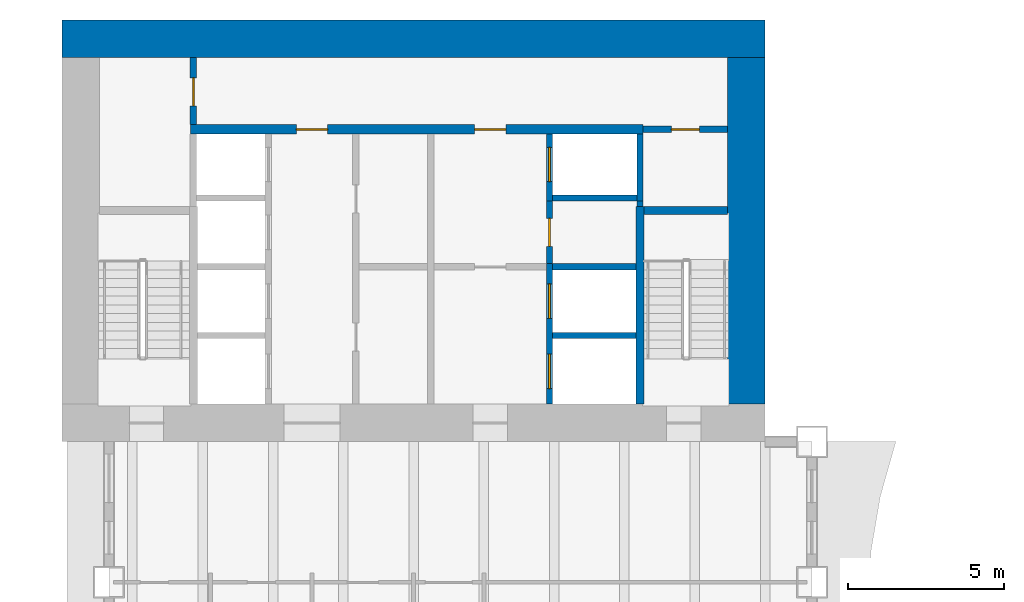
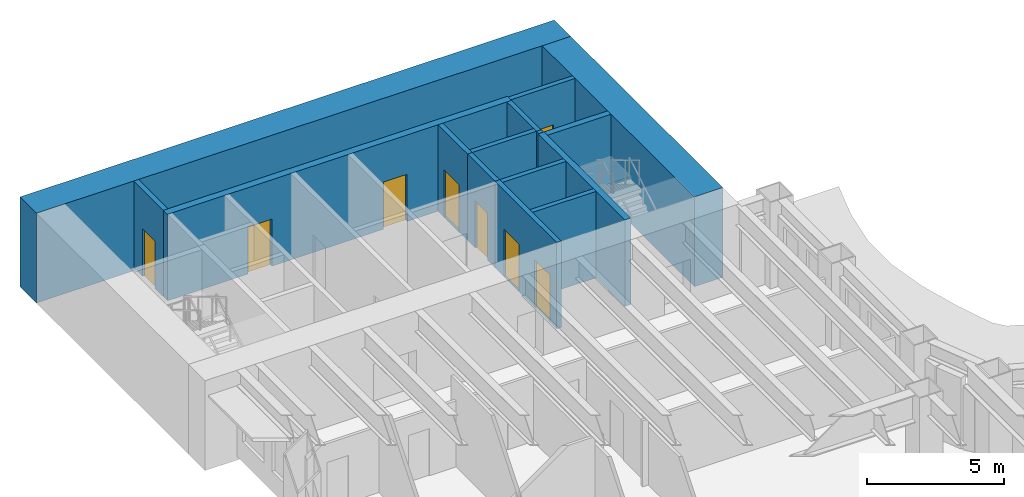
# One storey, part 9 of 16: 15 walls, 8 doors, 8 openings.
"""IFC4 building model written with IfcOpenShell, lengths in metres."""

from ifc_helpers import new_model, si_unit, direction, frame, frame_2d, origin, place, context, subcontext, project, spatial, rectangle, extrude, material, layer, layer_set, type_object, element, fill, save


model = new_model("IFC4")

# Units and contexts
model_context = context("Model", 3, precision=1e-05, world=origin(), true_north=direction((0.0, 1.0)))
body_context = subcontext(model_context, "Body", "Model", "MODEL_VIEW")
ifc_project = project(units=[si_unit("LENGTHUNIT", "METRE"), si_unit("AREAUNIT", "SQUARE_METRE"), si_unit("VOLUMEUNIT", "CUBIC_METRE"), si_unit("PLANEANGLEUNIT", "RADIAN"), si_unit("MASSUNIT", "GRAM", prefix="KILO")], contexts=[model_context])

# Site, building, storey
site_placement = place(None, origin())
site = spatial("IfcSite", under=ifc_project, at=site_placement, CompositionType="ELEMENT")
building_placement = place(site_placement, origin())
building = spatial("IfcBuilding", under=site, at=building_placement, Name="Sennacour Bend Tower", CompositionType="ELEMENT")
storey_placement = place(building_placement, frame((0.0, 0.0, 87.0)))
storey = spatial("IfcBuildingStorey", under=building, at=storey_placement, Name="L19", CompositionType="ELEMENT", Elevation=87.0)

# Walls
ifc_material_1 = material(Name="Concrete C80/95", Category="concrete")
ifc_layer_1 = layer(ifc_material_1, 1.199951171875, Name="Concrete C80/95", Category="concrete")
ifc_layer_set_1 = layer_set([ifc_layer_1], Name="Concrete C80/95")
wall_type_1 = type_object("IfcWallType", Name="Core wall 1200 C80/95", PredefinedType="SHEAR", material=ifc_layer_set_1)
wall_1_placement = place(storey_placement, frame((0.0, 48.89990234375, -0.14990234375), z_axis=(0.0, 0.0, 1.0), x_axis=(1.0, 0.0, 0.0)))
element("IfcWall", 1, at=wall_1_placement, inside=storey, type_object=wall_type_1, Name="Core B wall L19 N", PredefinedType="SHEAR", context=body_context, shape_type="SweptSolid", body=[
    extrude(rectangle(XDim=22.5, YDim=1.199951171875, at=frame_2d((11.25, 0.0))), origin(), (0.0, 0.0, 1.0), 4.0),
])
wall_2_placement = place(storey_placement, frame((21.89990234375, 37.199951171875, -0.14990234375), z_axis=(0.0, 0.0, 1.0), x_axis=(0.0, 1.0, 0.0)))
element("IfcWall", 2, at=wall_2_placement, inside=storey, type_object=wall_type_1, Name="Core B wall L19 E", PredefinedType="SHEAR", context=body_context, shape_type="SweptSolid", body=[
    extrude(rectangle(XDim=11.10009765625, YDim=1.199951171875, at=frame_2d((5.550048828125, 0.0))), origin(), (0.0, 0.0, 1.0), 4.0),
])

# Wall, opening, door
ifc_material_2 = material(Name="Fire-rated plasterboard partition on steel studs", Category="steel")
ifc_layer_2 = layer(ifc_material_2, 0.199951171875, Name="Fire-rated plasterboard partition on steel studs", Category="steel")
ifc_layer_set_2 = layer_set([ifc_layer_2], Name="Fire-rated plasterboard partition on steel studs")
wall_type_2 = type_object("IfcWallType", Name="Rated partition 200", PredefinedType="PARTITIONING", material=ifc_layer_set_2)
wall_3_placement = place(storey_placement, frame((4.199951171875, 46.14990234375, 0.0), z_axis=(0.0, 0.0, 1.0), x_axis=(0.0, 1.0, 0.0)))
wall_3 = element("IfcWall", 3, at=wall_3_placement, inside=storey, type_object=wall_type_2, Name="P-L19-W006", PredefinedType="PARTITIONING", context=body_context, shape_type="SweptSolid", body=[
    extrude(rectangle(XDim=2.150146484375, YDim=0.199951171875, at=frame_2d((1.0751953125, 0.0))), origin(), (0.0, 0.0, 1.0), 3.85009765625),
])
opening_1_placement = place(wall_3_placement, frame((0.60009765625, 0.0, 0.0)))
opening_1 = element("IfcOpeningElement", 4, at=opening_1_placement, cuts=wall_3, Name="Opening SV", PredefinedType="OPENING", context=body_context, shape_type="SweptSolid", body=[
    extrude(rectangle(XDim=0.89990234375, YDim=2.10009765625, at=frame_2d((0.449951171875, 1.050048828125))), frame((0.0, 0.10986328125, 0.0), z_axis=(0.0, -1.0, 0.0), x_axis=(1.0, 0.0, 0.0)), (0.0, 0.0, 1.0), 0.219970703125),
])
ifc_material_3 = material(Name="Painted steel", Category="steel")
door_type_1 = type_object("IfcDoorType", Name="DR-SERVICE-900", OperationType="NOTDEFINED", PredefinedType="DOOR", material=ifc_material_3)
door_1_placement = place(opening_1_placement, origin())
door_1 = element("IfcDoor", 5, at=door_1_placement, inside=storey, type_object=door_type_1, Name="Door", OperationType="SINGLE_SWING_LEFT", OverallHeight=2.10009765625, OverallWidth=0.89990234375, PredefinedType="DOOR", context=body_context, shape_type="SweptSolid", body=[
    extrude(rectangle(XDim=0.89990234375, YDim=2.10009765625, at=frame_2d((0.449951171875, 1.050048828125))), frame((0.0, 0.02490234375, 0.0), z_axis=(0.0, -1.0, 0.0), x_axis=(1.0, 0.0, 0.0)), (0.0, 0.0, 1.0), 0.050048828125),
])
fill(opening_1, door_1)

wall_4_placement = place(storey_placement, frame((15.60009765625, 41.699951171875, 0.0), z_axis=(0.0, 0.0, 1.0), x_axis=(0.0, 1.0, 0.0)))
wall_4 = element("IfcWall", 6, at=wall_4_placement, inside=storey, type_object=wall_type_2, Name="P-L19-W018", PredefinedType="PARTITIONING", context=body_context, shape_type="SweptSolid", body=[
    extrude(rectangle(XDim=2.0, YDim=0.199951171875, at=frame_2d((1.0, 0.0))), origin(), (0.0, 0.0, 1.0), 3.85009765625),
])
opening_2_placement = place(wall_4_placement, frame((0.550048828125, 0.0, 0.0)))
opening_2 = element("IfcOpeningElement", 7, at=opening_2_placement, cuts=wall_4, Name="Opening SV", PredefinedType="OPENING", context=body_context, shape_type="SweptSolid", body=[
    extrude(rectangle(XDim=0.89990234375, YDim=2.10009765625, at=frame_2d((0.449951171875, 1.050048828125))), frame((0.0, 0.10986328125, 0.0), z_axis=(0.0, -1.0, 0.0), x_axis=(1.0, 0.0, 0.0)), (0.0, 0.0, 1.0), 0.219970703125),
])
door_2_placement = place(opening_2_placement, origin())
door_2 = element("IfcDoor", 8, at=door_2_placement, inside=storey, type_object=door_type_1, Name="Door", OperationType="SINGLE_SWING_RIGHT", OverallHeight=2.10009765625, OverallWidth=0.89990234375, PredefinedType="DOOR", context=body_context, shape_type="SweptSolid", body=[
    extrude(rectangle(XDim=0.89990234375, YDim=2.10009765625, at=frame_2d((0.449951171875, 1.050048828125))), frame((0.0, 0.02490234375, 0.0), z_axis=(0.0, -1.0, 0.0), x_axis=(1.0, 0.0, 0.0)), (0.0, 0.0, 1.0), 0.050048828125),
])
fill(opening_2, door_2)

# Wall
wall_5_placement = place(storey_placement, frame((18.5, 43.52490234375, 0.0), z_axis=(0.0, 0.0, 1.0), x_axis=(0.0, 1.0, 0.0)))
element("IfcWall", 9, at=wall_5_placement, inside=storey, type_object=wall_type_2, Name="P-L19-W022", PredefinedType="PARTITIONING", context=body_context, shape_type="SweptSolid", body=[
    extrude(rectangle(XDim=0.175048828125, YDim=0.199951171875, at=frame_2d((0.08740234375, 0.0))), origin(), (0.0, 0.0, 1.0), 3.85009765625),
])

# Wall, opening, door
wall_6_placement = place(storey_placement, frame((18.60009765625, 46.0, 0.0), z_axis=(0.0, 0.0, 1.0), x_axis=(1.0, 0.0, 0.0)))
wall_6 = element("IfcWall", 10, at=wall_6_placement, inside=storey, type_object=wall_type_2, Name="P-L19-W084", PredefinedType="PARTITIONING", context=body_context, shape_type="SweptSolid", body=[
    extrude(rectangle(XDim=2.699951171875, YDim=0.199951171875, at=frame_2d((1.35009765625, 0.0))), origin(), (0.0, 0.0, 1.0), 3.85009765625),
])
opening_3_placement = place(wall_6_placement, frame((0.89990234375, 0.0, 0.0)))
opening_3 = element("IfcOpeningElement", 11, at=opening_3_placement, cuts=wall_6, Name="Opening SV", PredefinedType="OPENING", context=body_context, shape_type="SweptSolid", body=[
    extrude(rectangle(XDim=0.89990234375, YDim=2.10009765625, at=frame_2d((0.449951171875, 1.050048828125))), frame((0.0, 0.10986328125, 0.0), z_axis=(0.0, -1.0, 0.0), x_axis=(1.0, 0.0, 0.0)), (0.0, 0.0, 1.0), 0.219970703125),
])
door_3_placement = place(opening_3_placement, origin())
door_3 = element("IfcDoor", 12, at=door_3_placement, inside=storey, type_object=door_type_1, Name="Door", OperationType="SINGLE_SWING_LEFT", OverallHeight=2.10009765625, OverallWidth=0.89990234375, PredefinedType="DOOR", context=body_context, shape_type="SweptSolid", body=[
    extrude(rectangle(XDim=0.89990234375, YDim=2.10009765625, at=frame_2d((0.449951171875, 1.050048828125))), frame((0.0, 0.02490234375, 0.0), z_axis=(0.0, -1.0, 0.0), x_axis=(1.0, 0.0, 0.0)), (0.0, 0.0, 1.0), 0.050048828125),
])
fill(opening_3, door_3)

# Wall, openings, doors
ifc_material_4 = material(Name="Concrete C50/60", Category="concrete")
ifc_layer_3 = layer(ifc_material_4, 0.199951171875, Name="Concrete C50/60", Category="concrete")
ifc_layer_set_3 = layer_set([ifc_layer_3], Name="Concrete C50/60")
wall_type_3 = type_object("IfcWallType", Name="Shaft wall 200", PredefinedType="SOLIDWALL", material=ifc_layer_set_3)
wall_7_placement = place(storey_placement, frame((15.60009765625, 37.199951171875, 0.0), z_axis=(0.0, 0.0, 1.0), x_axis=(0.0, 1.0, 0.0)))
wall_7 = element("IfcWall", 13, at=wall_7_placement, inside=storey, type_object=wall_type_3, Name="P-L19-W017", PredefinedType="SOLIDWALL", context=body_context, shape_type="SweptSolid", body=[
    extrude(rectangle(XDim=4.5, YDim=0.199951171875, at=frame_2d((2.25, 0.0))), origin(), (0.0, 0.0, 1.0), 3.85009765625),
])
opening_4_placement = place(wall_7_placement, frame((0.5, 0.0, 0.011962890625)))
opening_4 = element("IfcOpeningElement", 14, at=opening_4_placement, cuts=wall_7, Name="Opening FLD", PredefinedType="OPENING", context=body_context, shape_type="SweptSolid", body=[
    extrude(rectangle(XDim=1.10009765625, YDim=2.10009765625, at=frame_2d((0.550048828125, 1.050048828125))), frame((0.0, 0.10986328125, 0.0), z_axis=(0.0, -1.0, 0.0), x_axis=(1.0, 0.0, 0.0)), (0.0, 0.0, 1.0), 0.219970703125),
])
opening_5_placement = place(wall_7_placement, frame((2.75, 0.0, 0.011962890625)))
opening_5 = element("IfcOpeningElement", 15, at=opening_5_placement, cuts=wall_7, Name="Opening FLD", PredefinedType="OPENING", context=body_context, shape_type="SweptSolid", body=[
    extrude(rectangle(XDim=1.10009765625, YDim=2.10009765625, at=frame_2d((0.550048828125, 1.050048828125))), frame((0.0, 0.10986328125, 0.0), z_axis=(0.0, -1.0, 0.0), x_axis=(1.0, 0.0, 0.0)), (0.0, 0.0, 1.0), 0.219970703125),
])
ifc_material_5 = material(Name="Stainless steel", Category="steel")
door_type_2 = type_object("IfcDoorType", Name="DR-FF-LANDING-1100", OperationType="NOTDEFINED", PredefinedType="DOOR", material=ifc_material_5)
door_4_placement = place(opening_4_placement, origin())
door_4 = element("IfcDoor", 16, at=door_4_placement, inside=storey, type_object=door_type_2, Name="Fire service lift landing door FB1", OperationType="SLIDING_TO_RIGHT", OverallHeight=2.10009765625, OverallWidth=1.10009765625, PredefinedType="DOOR", context=body_context, shape_type="SweptSolid", body=[
    extrude(rectangle(XDim=1.10009765625, YDim=2.10009765625, at=frame_2d((0.550048828125, 1.050048828125))), frame((0.0, 0.02490234375, 0.0), z_axis=(0.0, -1.0, 0.0), x_axis=(1.0, 0.0, 0.0)), (0.0, 0.0, 1.0), 0.050048828125),
])
fill(opening_4, door_4)
door_5_placement = place(opening_5_placement, origin())
door_5 = element("IfcDoor", 17, at=door_5_placement, inside=storey, type_object=door_type_2, Name="Fire service lift landing door FB2", OperationType="SLIDING_TO_LEFT", OverallHeight=2.10009765625, OverallWidth=1.10009765625, PredefinedType="DOOR", context=body_context, shape_type="SweptSolid", body=[
    extrude(rectangle(XDim=1.10009765625, YDim=2.10009765625, at=frame_2d((0.550048828125, 1.050048828125))), frame((0.0, 0.02490234375, 0.0), z_axis=(0.0, -1.0, 0.0), x_axis=(1.0, 0.0, 0.0)), (0.0, 0.0, 1.0), 0.050048828125),
])
fill(opening_5, door_5)

# Wall, opening, door
wall_8_placement = place(storey_placement, frame((15.60009765625, 43.699951171875, 0.0), z_axis=(0.0, 0.0, 1.0), x_axis=(0.0, 1.0, 0.0)))
wall_8 = element("IfcWall", 18, at=wall_8_placement, inside=storey, type_object=wall_type_3, Name="P-L19-W019", PredefinedType="SOLIDWALL", context=body_context, shape_type="SweptSolid", body=[
    extrude(rectangle(XDim=2.150146484375, YDim=0.199951171875, at=frame_2d((1.0751953125, 0.0))), origin(), (0.0, 0.0, 1.0), 3.85009765625),
])
opening_6_placement = place(wall_8_placement, frame((0.625, 0.0, 0.011962890625)))
opening_6 = element("IfcOpeningElement", 19, at=opening_6_placement, cuts=wall_8, Name="Opening LD", PredefinedType="OPENING", context=body_context, shape_type="SweptSolid", body=[
    extrude(rectangle(XDim=1.10009765625, YDim=2.10009765625, at=frame_2d((0.550048828125, 1.050048828125))), frame((0.0, 0.10986328125, 0.0), z_axis=(0.0, -1.0, 0.0), x_axis=(1.0, 0.0, 0.0)), (0.0, 0.0, 1.0), 0.219970703125),
])
door_type_3 = type_object("IfcDoorType", Name="DR-LANDING-1100", OperationType="NOTDEFINED", PredefinedType="DOOR", material=ifc_material_5)
door_6_placement = place(opening_6_placement, origin())
door_6 = element("IfcDoor", 20, at=door_6_placement, inside=storey, type_object=door_type_3, Name="Lift landing door LB5", OperationType="SLIDING_TO_RIGHT", OverallHeight=2.10009765625, OverallWidth=1.10009765625, PredefinedType="DOOR", context=body_context, shape_type="SweptSolid", body=[
    extrude(rectangle(XDim=1.10009765625, YDim=2.10009765625, at=frame_2d((0.550048828125, 1.050048828125))), frame((0.0, 0.02490234375, 0.0), z_axis=(0.0, -1.0, 0.0), x_axis=(1.0, 0.0, 0.0)), (0.0, 0.0, 1.0), 0.050048828125),
])
fill(opening_6, door_6)

# Walls
wall_9_placement = place(storey_placement, frame((18.5, 43.699951171875, 0.0), z_axis=(0.0, 0.0, 1.0), x_axis=(0.0, 1.0, 0.0)))
element("IfcWall", 21, at=wall_9_placement, inside=storey, type_object=wall_type_3, Name="P-L19-W023", PredefinedType="SOLIDWALL", context=body_context, shape_type="SweptSolid", body=[
    extrude(rectangle(XDim=2.150146484375, YDim=0.199951171875, at=frame_2d((1.0751953125, 0.0))), origin(), (0.0, 0.0, 1.0), 3.85009765625),
])
for number, where, z_axis, x_axis, name in (
    (22, (15.699951171875, 39.39990234375, 0.0), (0.0, 0.0, 1.0), (1.0, 0.0, 0.0), "P-L19-W075"),
    (23, (15.699951171875, 41.60009765625, 0.0), (0.0, 0.0, 1.0), (1.0, 0.0, 0.0), "P-L19-W078"),
):
    element("IfcWall", number, at=place(storey_placement, frame(where, z_axis=z_axis, x_axis=x_axis)), inside=storey, type_object=wall_type_3, Name=name, PredefinedType="SOLIDWALL", context=body_context, shape_type="SweptSolid", body=[
        extrude(rectangle(XDim=2.675048828125, YDim=0.199951171875, at=frame_2d((1.33740234375, 0.0))), origin(), (0.0, 0.0, 1.0), 3.85009765625),
    ])
wall_10_placement = place(storey_placement, frame((15.699951171875, 43.800048828125, 0.0), z_axis=(0.0, 0.0, 1.0), x_axis=(1.0, 0.0, 0.0)))
element("IfcWall", 24, at=wall_10_placement, inside=storey, type_object=wall_type_3, Name="P-L19-W082", PredefinedType="SOLIDWALL", context=body_context, shape_type="SweptSolid", body=[
    extrude(rectangle(XDim=2.699951171875, YDim=0.199951171875, at=frame_2d((1.35009765625, 0.0))), origin(), (0.0, 0.0, 1.0), 3.85009765625),
])

# Wall, openings, doors
ifc_material_6 = material(Name="Concrete C60/75", Category="concrete")
ifc_layer_4 = layer(ifc_material_6, 0.300048828125, Name="Concrete C60/75", Category="concrete")
ifc_layer_set_4 = layer_set([ifc_layer_4], Name="Concrete C60/75")
wall_type_4 = type_object("IfcWallType", Name="Spine wall 300", PredefinedType="SHEAR", material=ifc_layer_set_4)
wall_11_placement = place(storey_placement, frame((4.10009765625, 46.0, 0.0), z_axis=(0.0, 0.0, 1.0), x_axis=(1.0, 0.0, 0.0)))
wall_11 = element("IfcWall", 25, at=wall_11_placement, inside=storey, type_object=wall_type_4, Name="P-L19-W083", PredefinedType="SHEAR", context=body_context, shape_type="SweptSolid", body=[
    extrude(rectangle(XDim=14.5, YDim=0.300048828125, at=frame_2d((7.25, 0.0))), origin(), (0.0, 0.0, 1.0), 3.85009765625),
])
opening_7_placement = place(wall_11_placement, frame((3.39990234375, 0.0, 0.0)))
opening_7 = element("IfcOpeningElement", 26, at=opening_7_placement, cuts=wall_11, Name="Opening CD2", PredefinedType="OPENING", context=body_context, shape_type="SweptSolid", body=[
    extrude(rectangle(XDim=1.0, YDim=2.10009765625, at=frame_2d((0.5, 1.050048828125))), frame((0.0, 0.16015625, 0.0), z_axis=(0.0, -1.0, 0.0), x_axis=(1.0, 0.0, 0.0)), (0.0, 0.0, 1.0), 0.320068359375),
])
opening_8_placement = place(wall_11_placement, frame((9.099853515625, 0.0, 0.0)))
opening_8 = element("IfcOpeningElement", 27, at=opening_8_placement, cuts=wall_11, Name="Opening CD2", PredefinedType="OPENING", context=body_context, shape_type="SweptSolid", body=[
    extrude(rectangle(XDim=1.0, YDim=2.10009765625, at=frame_2d((0.5, 1.050048828125))), frame((0.0, 0.16015625, 0.0), z_axis=(0.0, -1.0, 0.0), x_axis=(1.0, 0.0, 0.0)), (0.0, 0.0, 1.0), 0.320068359375),
])
door_type_4 = type_object("IfcDoorType", Name="DR-LOBBY-1000", OperationType="NOTDEFINED", PredefinedType="DOOR", material=ifc_material_3)
door_7_placement = place(opening_7_placement, origin())
door_7 = element("IfcDoor", 28, at=door_7_placement, inside=storey, type_object=door_type_4, Name="Door", OperationType="SINGLE_SWING_LEFT", OverallHeight=2.10009765625, OverallWidth=1.0, PredefinedType="DOOR", context=body_context, shape_type="SweptSolid", body=[
    extrude(rectangle(XDim=1.0, YDim=2.10009765625, at=frame_2d((0.5, 1.050048828125))), frame((0.0, 0.02490234375, 0.0), z_axis=(0.0, -1.0, 0.0), x_axis=(1.0, 0.0, 0.0)), (0.0, 0.0, 1.0), 0.050048828125),
])
fill(opening_7, door_7)
door_8_placement = place(opening_8_placement, origin())
door_8 = element("IfcDoor", 29, at=door_8_placement, inside=storey, type_object=door_type_4, Name="Door", OperationType="SINGLE_SWING_RIGHT", OverallHeight=2.10009765625, OverallWidth=1.0, PredefinedType="DOOR", context=body_context, shape_type="SweptSolid", body=[
    extrude(rectangle(XDim=1.0, YDim=2.10009765625, at=frame_2d((0.5, 1.050048828125))), frame((0.0, 0.02490234375, 0.0), z_axis=(0.0, -1.0, 0.0), x_axis=(1.0, 0.0, 0.0)), (0.0, 0.0, 1.0), 0.050048828125),
])
fill(opening_8, door_8)

# Walls
ifc_layer_5 = layer(ifc_material_6, 0.25, Name="Concrete C60/75", Category="concrete")
ifc_layer_set_5 = layer_set([ifc_layer_5], Name="Concrete C60/75")
wall_type_5 = type_object("IfcWallType", Name="Stair wall 250", PredefinedType="SHEAR", material=ifc_layer_set_5)
wall_12_placement = place(storey_placement, frame((18.5, 37.199951171875, 0.0), z_axis=(0.0, 0.0, 1.0), x_axis=(0.0, 1.0, 0.0)))
element("IfcWall", 30, at=wall_12_placement, inside=storey, type_object=wall_type_5, Name="P-L19-W021", PredefinedType="SHEAR", context=body_context, shape_type="SweptSolid", body=[
    extrude(rectangle(XDim=6.324951171875, YDim=0.25, at=frame_2d((3.16259765625, 0.0))), origin(), (0.0, 0.0, 1.0), 3.85009765625),
])
wall_13_placement = place(storey_placement, frame((18.625, 43.39990234375, 0.0), z_axis=(0.0, 0.0, 1.0), x_axis=(1.0, 0.0, 0.0)))
element("IfcWall", 31, at=wall_13_placement, inside=storey, type_object=wall_type_5, Name="P-L19-W080", PredefinedType="SHEAR", context=body_context, shape_type="SweptSolid", body=[
    extrude(rectangle(XDim=2.675048828125, YDim=0.25, at=frame_2d((1.33740234375, 0.0))), origin(), (0.0, 0.0, 1.0), 3.85009765625),
])

save(model, "model.ifc")
